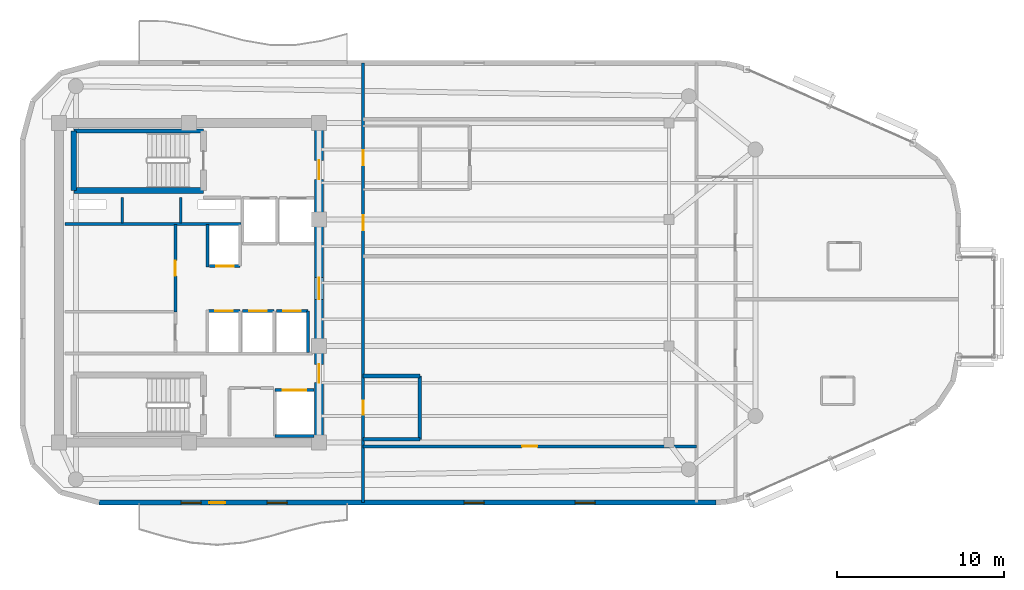
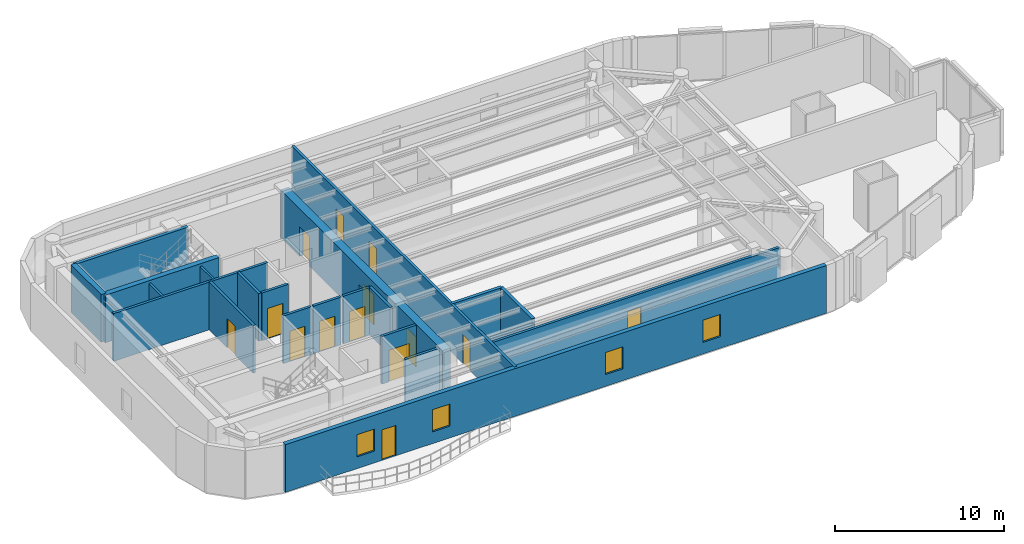
# One storey, part 9 of 13: 22 walls, 14 doors, 4 windows, 18 openings.
"""IFC4 building model written with IfcOpenShell, lengths in metres."""

from ifc_helpers import new_model, si_unit, direction, frame, frame_2d, origin, place, context, subcontext, project, spatial, rectangle, extrude, material, layer, layer_set, type_object, element, fill, save


model = new_model("IFC4")

# Units and contexts
model_context = context("Model", 3, precision=1e-05, world=origin(), true_north=direction((0.0, 1.0)))
body_context = subcontext(model_context, "Body", "Model", "MODEL_VIEW")
ifc_project = project(units=[si_unit("LENGTHUNIT", "METRE"), si_unit("AREAUNIT", "SQUARE_METRE"), si_unit("VOLUMEUNIT", "CUBIC_METRE"), si_unit("PLANEANGLEUNIT", "RADIAN"), si_unit("MASSUNIT", "GRAM", prefix="KILO")], contexts=[model_context])

# Site, building, storey
site_placement = place(None, origin())
site = spatial("IfcSite", under=ifc_project, at=site_placement, CompositionType="ELEMENT")
building_placement = place(site_placement, origin())
building = spatial("IfcBuilding", under=site, at=building_placement, Name="An Khanh Terracotta Commons", CompositionType="ELEMENT")
storey_placement = place(building_placement, frame((0.0, 0.0, 266.10009765625)))
storey = spatial("IfcBuildingStorey", under=building, at=storey_placement, Name="L69", CompositionType="ELEMENT", Elevation=266.10009765625)

# Wall, openings, doors
ifc_material_1 = material(Name="Concrete C50/60", Category="concrete")
ifc_layer_1 = layer(ifc_material_1, 0.550048828125, Name="Concrete C50/60")
ifc_layer_set_1 = layer_set([ifc_layer_1], Name="Concrete C50/60")
wall_type_1 = type_object("IfcWallType", Name="WALL-CORE-550", PredefinedType="SHEAR", material=ifc_layer_set_1)
wall_1_placement = place(storey_placement, frame((37.199951171875, 14.39990234375, 0.0), z_axis=(0.0, 0.0, 1.0), x_axis=(0.0, 1.0, 0.0)))
wall_1 = element("IfcWall", 1, at=wall_1_placement, inside=storey, type_object=wall_type_1, Name="L69 Core Wall CWALL-L69-E", PredefinedType="SHEAR", context=body_context, shape_type="SweptSolid", body=[
    extrude(rectangle(XDim=19.2001953125, YDim=0.550048828125, at=frame_2d((9.60009765625, 0.0))), origin(), (0.0, 0.0, 1.0), 3.449951171875),
])
opening_1_placement = place(wall_1_placement, frame((15.800048828125, 0.0, 0.0)))
opening_1 = element("IfcOpeningElement", 2, at=opening_1_placement, cuts=wall_1, Name="Opening D-FFL", PredefinedType="OPENING", context=body_context, shape_type="SweptSolid", body=[
    extrude(rectangle(XDim=1.14990234375, YDim=2.14990234375, at=frame_2d((0.574951171875, 1.074951171875))), frame((0.0, 0.284912109375, 0.0), z_axis=(0.0, -1.0, 0.0), x_axis=(1.0, 0.0, 0.0)), (0.0, 0.0, 1.0), 0.570068359375),
])
opening_2_placement = place(wall_1_placement, frame((3.60009765625, 0.0, 0.0)))
opening_2 = element("IfcOpeningElement", 3, at=opening_2_placement, cuts=wall_1, Name="Opening D-ST", PredefinedType="OPENING", context=body_context, shape_type="SweptSolid", body=[
    extrude(rectangle(XDim=1.10009765625, YDim=2.14990234375, at=frame_2d((0.550048828125, 1.074951171875))), frame((0.0, 0.284912109375, 0.0), z_axis=(0.0, -1.0, 0.0), x_axis=(1.0, 0.0, 0.0)), (0.0, 0.0, 1.0), 0.570068359375),
])
opening_3_placement = place(wall_1_placement, frame((8.60009765625, 0.0, 0.0)))
opening_3 = element("IfcOpeningElement", 4, at=opening_3_placement, cuts=wall_1, Name="Opening D-COR", PredefinedType="OPENING", context=body_context, shape_type="SweptSolid", body=[
    extrude(rectangle(XDim=1.300048828125, YDim=2.199951171875, at=frame_2d((0.64990234375, 1.10009765625))), frame((0.0, 0.284912109375, 0.0), z_axis=(0.0, -1.0, 0.0), x_axis=(1.0, 0.0, 0.0)), (0.0, 0.0, 1.0), 0.570068359375),
])
ifc_material_2 = material(Name="Fire-Rated Glazed Steel Double Door", Category="steel")
door_type_1 = type_object("IfcDoorType", Name="DOOR-CORR-1300", OperationType="NOTDEFINED", PredefinedType="DOOR", material=ifc_material_2)
door_1_placement = place(opening_3_placement, origin())
door_1 = element("IfcDoor", 5, at=door_1_placement, inside=storey, type_object=door_type_1, Name="L69 Passenger Lift Lobby Double Door", OperationType="DOUBLE_DOOR_SINGLE_SWING", OverallHeight=2.199951171875, OverallWidth=1.300048828125, PredefinedType="DOOR", context=body_context, shape_type="SweptSolid", body=[
    extrude(rectangle(XDim=1.300048828125, YDim=2.199951171875, at=frame_2d((0.64990234375, 1.10009765625))), frame((0.0, 0.02490234375, 0.0), z_axis=(0.0, -1.0, 0.0), x_axis=(1.0, 0.0, 0.0)), (0.0, 0.0, 1.0), 0.050048828125),
])
fill(opening_3, door_1)
ifc_material_3 = material(Name="Fire-Rated Steel Leaf and Vision Panel", Category="steel")
door_type_2 = type_object("IfcDoorType", Name="DOOR-FFL-1150", OperationType="NOTDEFINED", PredefinedType="DOOR", material=ifc_material_3)
door_2_placement = place(opening_1_placement, origin())
door_2 = element("IfcDoor", 6, at=door_2_placement, inside=storey, type_object=door_type_2, Name="L69 Firefighting Lift Lobby Fire Door", OperationType="SINGLE_SWING_RIGHT", OverallHeight=2.14990234375, OverallWidth=1.14990234375, PredefinedType="DOOR", context=body_context, shape_type="SweptSolid", body=[
    extrude(rectangle(XDim=1.14990234375, YDim=2.14990234375, at=frame_2d((0.574951171875, 1.074951171875))), frame((0.0, 0.02490234375, 0.0), z_axis=(0.0, -1.0, 0.0), x_axis=(1.0, 0.0, 0.0)), (0.0, 0.0, 1.0), 0.050048828125),
])
fill(opening_1, door_2)
ifc_material_4 = material(Name="Fire-Rated Steel Leaf and Frame", Category="steel")
door_type_3 = type_object("IfcDoorType", Name="DOOR-STAIR-1100", OperationType="NOTDEFINED", PredefinedType="DOOR", material=ifc_material_4)
door_3_placement = place(opening_2_placement, origin())
door_3 = element("IfcDoor", 7, at=door_3_placement, inside=storey, type_object=door_type_3, Name="L69 South Stair Lobby Fire Door", OperationType="SINGLE_SWING_LEFT", OverallHeight=2.14990234375, OverallWidth=1.10009765625, PredefinedType="DOOR", context=body_context, shape_type="SweptSolid", body=[
    extrude(rectangle(XDim=1.10009765625, YDim=2.14990234375, at=frame_2d((0.550048828125, 1.074951171875))), frame((0.0, 0.02490234375, 0.0), z_axis=(0.0, -1.0, 0.0), x_axis=(1.0, 0.0, 0.0)), (0.0, 0.0, 1.0), 0.050048828125),
])
fill(opening_2, door_3)

# Wall
ifc_material_5 = material(Name="Fire-Rated Gypsum Board on Steel Stud", Category="steel")
ifc_layer_2 = layer(ifc_material_5, 0.179931640625, Name="Fire-Rated Gypsum Board on Steel Stud")
ifc_layer_set_2 = layer_set([ifc_layer_2], Name="Fire-Rated Gypsum Board on Steel Stud")
wall_type_2 = type_object("IfcWallType", Name="WALL-CORR-180", PredefinedType="PARTITIONING", material=ifc_layer_set_2)
wall_2_placement = place(storey_placement, frame((21.949951171875, 27.5400390625, 0.0), z_axis=(0.0, 0.0, 1.0), x_axis=(1.0, 0.0, 0.0)))
element("IfcWall", 8, at=wall_2_placement, inside=storey, type_object=wall_type_2, Name="L69 Core Wall RSRW-L69-S", PredefinedType="PARTITIONING", context=body_context, shape_type="SweptSolid", body=[
    extrude(rectangle(XDim=10.56005859375, YDim=0.179931640625, at=frame_2d((5.280029296875, 0.0))), origin(), (0.0, 0.0, 1.0), 3.449951171875),
])

# Wall, opening, door
wall_3_placement = place(storey_placement, frame((34.550048828125, 17.550048828125, 0.0), z_axis=(0.0, 0.0, 1.0), x_axis=(1.0, 0.0, 0.0)))
wall_3 = element("IfcWall", 9, at=wall_3_placement, inside=storey, type_object=wall_type_2, Name="L69 Core Wall LSH-L69-SVL-01-N", PredefinedType="PARTITIONING", context=body_context, shape_type="SweptSolid", body=[
    extrude(rectangle(XDim=2.349853515625, YDim=0.179931640625, at=frame_2d((1.1748046875, 0.0))), origin(), (0.0, 0.0, 1.0), 3.449951171875),
])
opening_4_placement = place(wall_3_placement, frame((0.47509765625, 0.0, 0.0)))
opening_4 = element("IfcOpeningElement", 10, at=opening_4_placement, cuts=wall_3, Name="Opening LD-SVL-01-L69", PredefinedType="OPENING", context=body_context, shape_type="SweptSolid", body=[
    extrude(rectangle(XDim=1.39990234375, YDim=2.300048828125, at=frame_2d((0.699951171875, 1.14990234375))), frame((0.0, 0.099853515625, 0.0), z_axis=(0.0, -1.0, 0.0), x_axis=(1.0, 0.0, 0.0)), (0.0, 0.0, 1.0), 0.199951171875),
])
ifc_material_6 = material(Name="Heavy-Duty Stainless Steel Goods Landing Door", Category="steel")
door_type_4 = type_object("IfcDoorType", Name="DOOR-LD-SVL-1400", OperationType="NOTDEFINED", PredefinedType="DOOR", material=ifc_material_6)
door_4_placement = place(opening_4_placement, origin())
door_4 = element("IfcDoor", 11, at=door_4_placement, inside=storey, type_object=door_type_4, Name="L69 Lift SVL-01 Sliding Landing Door", OperationType="DOUBLE_DOOR_SLIDING", OverallHeight=2.300048828125, OverallWidth=1.39990234375, PredefinedType="DOOR", context=body_context, shape_type="SweptSolid", body=[
    extrude(rectangle(XDim=1.39990234375, YDim=2.300048828125, at=frame_2d((0.699951171875, 1.14990234375))), frame((0.0, 0.02490234375, 0.0), z_axis=(0.0, -1.0, 0.0), x_axis=(1.0, 0.0, 0.0)), (0.0, 0.0, 1.0), 0.050048828125),
])
fill(opening_4, door_4)

# Wall
wall_4_placement = place(storey_placement, frame((36.89990234375, 14.800048828125, 0.0), z_axis=(0.0, 0.0, 1.0), x_axis=(-1.0, 0.0, 0.0)))
element("IfcWall", 12, at=wall_4_placement, inside=storey, type_object=wall_type_2, Name="L69 Core Wall LSH-L69-SVL-01-S", PredefinedType="PARTITIONING", context=body_context, shape_type="SweptSolid", body=[
    extrude(rectangle(XDim=2.349853515625, YDim=0.179931640625, at=frame_2d((1.1748046875, 0.0))), origin(), (0.0, 0.0, 1.0), 3.449951171875),
])

# Wall, opening, door
wall_5_placement = place(storey_placement, frame((32.4599609375, 25.0, 0.0), z_axis=(0.0, 0.0, 1.0), x_axis=(-1.0, 0.0, 0.0)))
wall_5 = element("IfcWall", 13, at=wall_5_placement, inside=storey, type_object=wall_type_2, Name="L69 Core Wall LSH-L69-PL-H1-S", PredefinedType="PARTITIONING", context=body_context, shape_type="SweptSolid", body=[
    extrude(rectangle(XDim=1.820068359375, YDim=0.179931640625, at=frame_2d((0.91015625, 0.0))), origin(), (0.0, 0.0, 1.0), 3.449951171875),
])
opening_5_placement = place(wall_5_placement, frame((0.385009765625, 0.0, 0.0)))
opening_5 = element("IfcOpeningElement", 14, at=opening_5_placement, cuts=wall_5, Name="Opening LD-PL-H1-L69", PredefinedType="OPENING", context=body_context, shape_type="SweptSolid", body=[
    extrude(rectangle(XDim=1.050048828125, YDim=2.199951171875, at=frame_2d((0.52490234375, 1.10009765625))), frame((0.0, 0.099853515625, 0.0), z_axis=(0.0, -1.0, 0.0), x_axis=(1.0, 0.0, 0.0)), (0.0, 0.0, 1.0), 0.199951171875),
])
ifc_material_7 = material(Name="Brushed Stainless Steel High-Rise Landing Door", Category="steel")
door_type_5 = type_object("IfcDoorType", Name="DOOR-LD-PAXH-1050", OperationType="NOTDEFINED", PredefinedType="DOOR", material=ifc_material_7)
door_5_placement = place(opening_5_placement, origin())
door_5 = element("IfcDoor", 15, at=door_5_placement, inside=storey, type_object=door_type_5, Name="L69 Lift PL-H1 Sliding Landing Door", OperationType="DOUBLE_DOOR_SLIDING", OverallHeight=2.199951171875, OverallWidth=1.050048828125, PredefinedType="DOOR", context=body_context, shape_type="SweptSolid", body=[
    extrude(rectangle(XDim=1.050048828125, YDim=2.199951171875, at=frame_2d((0.52490234375, 1.10009765625))), frame((0.0, 0.02490234375, 0.0), z_axis=(0.0, -1.0, 0.0), x_axis=(1.0, 0.0, 0.0)), (0.0, 0.0, 1.0), 0.050048828125),
])
fill(opening_5, door_5)

wall_6_placement = place(storey_placement, frame((30.56005859375, 22.300048828125, 0.0), z_axis=(0.0, 0.0, 1.0), x_axis=(1.0, 0.0, 0.0)))
wall_6 = element("IfcWall", 16, at=wall_6_placement, inside=storey, type_object=wall_type_2, Name="L69 Core Wall LSH-L69-PL-H2-N", PredefinedType="PARTITIONING", context=body_context, shape_type="SweptSolid", body=[
    extrude(rectangle(XDim=1.89990234375, YDim=0.179931640625, at=frame_2d((0.949951171875, 0.0))), origin(), (0.0, 0.0, 1.0), 3.449951171875),
])
opening_6_placement = place(wall_6_placement, frame((0.425048828125, 0.0, 0.0)))
opening_6 = element("IfcOpeningElement", 17, at=opening_6_placement, cuts=wall_6, Name="Opening LD-PL-H2-L69", PredefinedType="OPENING", context=body_context, shape_type="SweptSolid", body=[
    extrude(rectangle(XDim=1.050048828125, YDim=2.199951171875, at=frame_2d((0.52490234375, 1.10009765625))), frame((0.0, 0.099853515625, 0.0), z_axis=(0.0, -1.0, 0.0), x_axis=(1.0, 0.0, 0.0)), (0.0, 0.0, 1.0), 0.199951171875),
])
door_6_placement = place(opening_6_placement, origin())
door_6 = element("IfcDoor", 18, at=door_6_placement, inside=storey, type_object=door_type_5, Name="L69 Lift PL-H2 Sliding Landing Door", OperationType="DOUBLE_DOOR_SLIDING", OverallHeight=2.199951171875, OverallWidth=1.050048828125, PredefinedType="DOOR", context=body_context, shape_type="SweptSolid", body=[
    extrude(rectangle(XDim=1.050048828125, YDim=2.199951171875, at=frame_2d((0.52490234375, 1.10009765625))), frame((0.0, 0.02490234375, 0.0), z_axis=(0.0, -1.0, 0.0), x_axis=(1.0, 0.0, 0.0)), (0.0, 0.0, 1.0), 0.050048828125),
])
fill(opening_6, door_6)

wall_7_placement = place(storey_placement, frame((32.60009765625, 22.300048828125, 0.0), z_axis=(0.0, 0.0, 1.0), x_axis=(1.0, 0.0, 0.0)))
wall_7 = element("IfcWall", 19, at=wall_7_placement, inside=storey, type_object=wall_type_2, Name="L69 Core Wall LSH-L69-PL-H3-N", PredefinedType="PARTITIONING", context=body_context, shape_type="SweptSolid", body=[
    extrude(rectangle(XDim=1.89990234375, YDim=0.179931640625, at=frame_2d((0.949951171875, 0.0))), origin(), (0.0, 0.0, 1.0), 3.449951171875),
])
opening_7_placement = place(wall_7_placement, frame((0.425048828125, 0.0, 0.0)))
opening_7 = element("IfcOpeningElement", 20, at=opening_7_placement, cuts=wall_7, Name="Opening LD-PL-H3-L69", PredefinedType="OPENING", context=body_context, shape_type="SweptSolid", body=[
    extrude(rectangle(XDim=1.050048828125, YDim=2.199951171875, at=frame_2d((0.52490234375, 1.10009765625))), frame((0.0, 0.099853515625, 0.0), z_axis=(0.0, -1.0, 0.0), x_axis=(1.0, 0.0, 0.0)), (0.0, 0.0, 1.0), 0.199951171875),
])
door_7_placement = place(opening_7_placement, origin())
door_7 = element("IfcDoor", 21, at=door_7_placement, inside=storey, type_object=door_type_5, Name="L69 Lift PL-H3 Sliding Landing Door", OperationType="DOUBLE_DOOR_SLIDING", OverallHeight=2.199951171875, OverallWidth=1.050048828125, PredefinedType="DOOR", context=body_context, shape_type="SweptSolid", body=[
    extrude(rectangle(XDim=1.050048828125, YDim=2.199951171875, at=frame_2d((0.52490234375, 1.10009765625))), frame((0.0, 0.02490234375, 0.0), z_axis=(0.0, -1.0, 0.0), x_axis=(1.0, 0.0, 0.0)), (0.0, 0.0, 1.0), 0.050048828125),
])
fill(opening_7, door_7)

wall_8_placement = place(storey_placement, frame((34.639892578125, 22.300048828125, 0.0), z_axis=(0.0, 0.0, 1.0), x_axis=(1.0, 0.0, 0.0)))
wall_8 = element("IfcWall", 22, at=wall_8_placement, inside=storey, type_object=wall_type_2, Name="L69 Core Wall LSH-L69-PL-H4-N", PredefinedType="PARTITIONING", context=body_context, shape_type="SweptSolid", body=[
    extrude(rectangle(XDim=1.900146484375, YDim=0.179931640625, at=frame_2d((0.9501953125, 0.0))), origin(), (0.0, 0.0, 1.0), 3.449951171875),
])
opening_8_placement = place(wall_8_placement, frame((0.425048828125, 0.0, 0.0)))
opening_8 = element("IfcOpeningElement", 23, at=opening_8_placement, cuts=wall_8, Name="Opening LD-PL-H4-L69", PredefinedType="OPENING", context=body_context, shape_type="SweptSolid", body=[
    extrude(rectangle(XDim=1.050048828125, YDim=2.199951171875, at=frame_2d((0.52490234375, 1.10009765625))), frame((0.0, 0.099853515625, 0.0), z_axis=(0.0, -1.0, 0.0), x_axis=(1.0, 0.0, 0.0)), (0.0, 0.0, 1.0), 0.199951171875),
])
door_8_placement = place(opening_8_placement, origin())
door_8 = element("IfcDoor", 24, at=door_8_placement, inside=storey, type_object=door_type_5, Name="L69 Lift PL-H4 Sliding Landing Door", OperationType="DOUBLE_DOOR_SLIDING", OverallHeight=2.199951171875, OverallWidth=1.050048828125, PredefinedType="DOOR", context=body_context, shape_type="SweptSolid", body=[
    extrude(rectangle(XDim=1.050048828125, YDim=2.199951171875, at=frame_2d((0.52490234375, 1.10009765625))), frame((0.0, 0.02490234375, 0.0), z_axis=(0.0, -1.0, 0.0), x_axis=(1.0, 0.0, 0.0)), (0.0, 0.0, 1.0), 0.050048828125),
])
fill(opening_8, door_8)

# Walls
wall_9_placement = place(storey_placement, frame((36.5400390625, 19.800048828125, 0.0), z_axis=(0.0, 0.0, 1.0), x_axis=(0.0, 1.0, 0.0)))
element("IfcWall", 25, at=wall_9_placement, inside=storey, type_object=wall_type_2, Name="L69 Core Wall LSH-L69-PL-H4-E", PredefinedType="PARTITIONING", context=body_context, shape_type="SweptSolid", body=[
    extrude(rectangle(XDim=2.5, YDim=0.179931640625, at=frame_2d((1.25, 0.0))), origin(), (0.0, 0.0, 1.0), 3.449951171875),
])
wall_10_placement = place(storey_placement, frame((30.52001953125, 24.949951171875, 0.0), z_axis=(0.0, 0.0, 1.0), x_axis=(0.0, 1.0, 0.0)))
element("IfcWall", 26, at=wall_10_placement, inside=storey, type_object=wall_type_2, Name="L69 Core Wall RECW-L69-BE1", PredefinedType="PARTITIONING", context=body_context, shape_type="SweptSolid", body=[
    extrude(rectangle(XDim=2.550048828125, YDim=0.179931640625, at=frame_2d((1.27490234375, 0.0))), origin(), (0.0, 0.0, 1.0), 3.449951171875),
])

# Wall, opening, door
wall_11_placement = place(storey_placement, frame((28.580078125, 22.25, 0.0), z_axis=(0.0, 0.0, 1.0), x_axis=(0.0, 1.0, 0.0)))
wall_11 = element("IfcWall", 27, at=wall_11_placement, inside=storey, type_object=wall_type_2, Name="L69 Core Wall RECW-L69-E1", PredefinedType="PARTITIONING", context=body_context, shape_type="SweptSolid", body=[
    extrude(rectangle(XDim=5.25, YDim=0.179931640625, at=frame_2d((2.625, 0.0))), origin(), (0.0, 0.0, 1.0), 3.449951171875),
])
opening_9_placement = place(wall_11_placement, frame((2.1650390625, 0.0, 0.0)))
opening_9 = element("IfcOpeningElement", 28, at=opening_9_placement, cuts=wall_11, Name="Opening D-RM", PredefinedType="OPENING", context=body_context, shape_type="SweptSolid", body=[
    extrude(rectangle(XDim=0.919921875, YDim=2.10009765625, at=frame_2d((0.4599609375, 1.050048828125))), frame((0.0, 0.099853515625, 0.0), z_axis=(0.0, -1.0, 0.0), x_axis=(1.0, 0.0, 0.0)), (0.0, 0.0, 1.0), 0.199951171875),
])
ifc_material_8 = material(Name="Engineered Hardwood Timber Leaf", Category="wood")
door_type_6 = type_object("IfcDoorType", Name="DOOR-INT-920", OperationType="NOTDEFINED", PredefinedType="DOOR", material=ifc_material_8)
door_9_placement = place(opening_9_placement, origin())
door_9 = element("IfcDoor", 29, at=door_9_placement, inside=storey, type_object=door_type_6, Name="L69 Quiet Fellowship Study Room Door", OperationType="SINGLE_SWING_LEFT", OverallHeight=2.10009765625, OverallWidth=0.919921875, PredefinedType="DOOR", context=body_context, shape_type="SweptSolid", body=[
    extrude(rectangle(XDim=0.919921875, YDim=2.10009765625, at=frame_2d((0.4599609375, 1.050048828125))), frame((0.0, 0.02490234375, 0.0), z_axis=(0.0, -1.0, 0.0), x_axis=(1.0, 0.0, 0.0)), (0.0, 0.0, 1.0), 0.050048828125),
])
fill(opening_9, door_9)

wall_12_placement = place(storey_placement, frame((39.85009765625, 14.179931640625, 0.0), z_axis=(0.0, 0.0, 1.0), x_axis=(1.0, 0.0, 0.0)))
wall_12 = element("IfcWall", 30, at=wall_12_placement, inside=storey, type_object=wall_type_2, Name="L69 Interior Partition IW-L69-E001", PredefinedType="PARTITIONING", context=body_context, shape_type="SweptSolid", body=[
    extrude(rectangle(XDim=20.0, YDim=0.179931640625, at=frame_2d((10.0, 0.0))), origin(), (0.0, 0.0, 1.0), 3.091796875),
])
opening_10_placement = place(wall_12_placement, frame((9.5400390625, 0.0, 0.0)))
opening_10 = element("IfcOpeningElement", 31, at=opening_10_placement, cuts=wall_12, Name="Opening D-RM", PredefinedType="OPENING", context=body_context, shape_type="SweptSolid", body=[
    extrude(rectangle(XDim=0.919921875, YDim=2.10009765625, at=frame_2d((0.4599609375, 1.050048828125))), frame((0.0, 0.099853515625, 0.0), z_axis=(0.0, -1.0, 0.0), x_axis=(1.0, 0.0, 0.0)), (0.0, 0.0, 1.0), 0.199951171875),
])
door_10_placement = place(opening_10_placement, origin())
door_10 = element("IfcDoor", 32, at=door_10_placement, inside=storey, type_object=door_type_6, Name="L69 WSP1 Riverfront Reading Hall Door", OperationType="SINGLE_SWING_LEFT", OverallHeight=2.10009765625, OverallWidth=0.919921875, PredefinedType="DOOR", context=body_context, shape_type="SweptSolid", body=[
    extrude(rectangle(XDim=0.919921875, YDim=2.10009765625, at=frame_2d((0.4599609375, 1.050048828125))), frame((0.0, 0.02490234375, 0.0), z_axis=(0.0, -1.0, 0.0), x_axis=(1.0, 0.0, 0.0)), (0.0, 0.0, 1.0), 0.050048828125),
])
fill(opening_10, door_10)

# Wall, openings, doors
wall_13_placement = place(storey_placement, frame((39.85009765625, 10.800048828125, 0.0), z_axis=(0.0, 0.0, 1.0), x_axis=(0.0, 1.0, 0.0)))
wall_13 = element("IfcWall", 33, at=wall_13_placement, inside=storey, type_object=wall_type_2, Name="L69 Interior Partition IW-L69-E010", PredefinedType="PARTITIONING", context=body_context, shape_type="SweptSolid", body=[
    extrude(rectangle(XDim=26.39990234375, YDim=0.179931640625, at=frame_2d((13.199951171875, 0.0))), origin(), (0.0, 0.0, 1.0), 3.449951171875),
])
opening_11_placement = place(wall_13_placement, frame((20.25, 0.0, 0.0)))
opening_11 = element("IfcOpeningElement", 34, at=opening_11_placement, cuts=wall_13, Name="Opening D-WC", PredefinedType="OPENING", context=body_context, shape_type="SweptSolid", body=[
    extrude(rectangle(XDim=0.89990234375, YDim=2.10009765625, at=frame_2d((0.449951171875, 1.050048828125))), frame((0.0, 0.099853515625, 0.0), z_axis=(0.0, -1.0, 0.0), x_axis=(1.0, 0.0, 0.0)), (0.0, 0.0, 1.0), 0.199951171875),
])
opening_12_placement = place(wall_13_placement, frame((5.27001953125, 0.0, 0.0)))
opening_12 = element("IfcOpeningElement", 35, at=opening_12_placement, cuts=wall_13, Name="Opening D-ENS", PredefinedType="OPENING", context=body_context, shape_type="SweptSolid", body=[
    extrude(rectangle(XDim=0.860107421875, YDim=2.10009765625, at=frame_2d((0.43017578125, 1.050048828125))), frame((0.0, 0.099853515625, 0.0), z_axis=(0.0, -1.0, 0.0), x_axis=(1.0, 0.0, 0.0)), (0.0, 0.0, 1.0), 0.199951171875),
])
opening_13_placement = place(wall_13_placement, frame((16.340087890625, 0.0, 0.0)))
opening_13 = element("IfcOpeningElement", 36, at=opening_13_placement, cuts=wall_13, Name="Opening D-RM", PredefinedType="OPENING", context=body_context, shape_type="SweptSolid", body=[
    extrude(rectangle(XDim=0.919921875, YDim=2.10009765625, at=frame_2d((0.4599609375, 1.050048828125))), frame((0.0, 0.099853515625, 0.0), z_axis=(0.0, -1.0, 0.0), x_axis=(1.0, 0.0, 0.0)), (0.0, 0.0, 1.0), 0.199951171875),
])
ifc_material_9 = material(Name="Moisture-Resistant Hardwood Timber Leaf", Category="wood")
door_type_7 = type_object("IfcDoorType", Name="DOOR-BATH-860", OperationType="NOTDEFINED", PredefinedType="DOOR", material=ifc_material_9)
door_11_placement = place(opening_12_placement, origin())
door_11 = element("IfcDoor", 37, at=door_11_placement, inside=storey, type_object=door_type_7, Name="L69 SHW Resident Shared Shower and Washroom Door", OperationType="SINGLE_SWING_RIGHT", OverallHeight=2.10009765625, OverallWidth=0.860107421875, PredefinedType="DOOR", context=body_context, shape_type="SweptSolid", body=[
    extrude(rectangle(XDim=0.860107421875, YDim=2.10009765625, at=frame_2d((0.43017578125, 1.050048828125))), frame((0.0, 0.02490234375, 0.0), z_axis=(0.0, -1.0, 0.0), x_axis=(1.0, 0.0, 0.0)), (0.0, 0.0, 1.0), 0.050048828125),
])
fill(opening_12, door_11)
door_12_placement = place(opening_13_placement, origin())
door_12 = element("IfcDoor", 38, at=door_12_placement, inside=storey, type_object=door_type_6, Name="L69 WSP2 Academic Seminar Room Door", OperationType="SINGLE_SWING_RIGHT", OverallHeight=2.10009765625, OverallWidth=0.919921875, PredefinedType="DOOR", context=body_context, shape_type="SweptSolid", body=[
    extrude(rectangle(XDim=0.919921875, YDim=2.10009765625, at=frame_2d((0.4599609375, 1.050048828125))), frame((0.0, 0.02490234375, 0.0), z_axis=(0.0, -1.0, 0.0), x_axis=(1.0, 0.0, 0.0)), (0.0, 0.0, 1.0), 0.050048828125),
])
fill(opening_13, door_12)
ifc_material_10 = material(Name="Laminate Moisture-Resistant Timber Leaf", Category="wood")
door_type_8 = type_object("IfcDoorType", Name="DOOR-WC-900", OperationType="NOTDEFINED", PredefinedType="DOOR", material=ifc_material_10)
door_13_placement = place(opening_11_placement, origin())
door_13 = element("IfcDoor", 39, at=door_13_placement, inside=storey, type_object=door_type_8, Name="L69 AWC Accessible WC Door", OperationType="SINGLE_SWING_LEFT", OverallHeight=2.10009765625, OverallWidth=0.89990234375, PredefinedType="DOOR", context=body_context, shape_type="SweptSolid", body=[
    extrude(rectangle(XDim=0.89990234375, YDim=2.10009765625, at=frame_2d((0.449951171875, 1.050048828125))), frame((0.0, 0.02490234375, 0.0), z_axis=(0.0, -1.0, 0.0), x_axis=(1.0, 0.0, 0.0)), (0.0, 0.0, 1.0), 0.050048828125),
])
fill(opening_11, door_13)

# Wall, openings, door, windows
ifc_material_11 = material(Name="Precast concrete C40/50", Category="concrete")
ifc_layer_3 = layer(ifc_material_11, 0.300048828125, Name="Precast concrete C40/50")
ifc_layer_set_3 = layer_set([ifc_layer_3], Name="Precast concrete C40/50")
wall_type_3 = type_object("IfcWallType", Name="WALL-EXT-300", PredefinedType="SOLIDWALL", material=ifc_layer_set_3)
wall_14_placement = place(storey_placement, frame((24.0, 10.800048828125, 0.0), z_axis=(0.0, 0.0, 1.0), x_axis=(1.0, 0.0, 0.0)))
wall_14 = element("IfcWall", 40, at=wall_14_placement, inside=storey, type_object=wall_type_3, Name="L69 Insulated Terracotta Exterior Wall 4", PredefinedType="SOLIDWALL", context=body_context, shape_type="SweptSolid", body=[
    extrude(rectangle(XDim=37.030029296875, YDim=0.300048828125, at=frame_2d((18.51513671875, 0.0))), origin(), (0.0, 0.0, 1.0), 3.449951171875),
])
opening_14_placement = place(wall_14_placement, frame((6.612060546875, 0.0, 0.0)))
opening_14 = element("IfcOpeningElement", 41, at=opening_14_placement, cuts=wall_14, Name="Opening D-BAL", PredefinedType="OPENING", context=body_context, shape_type="SweptSolid", body=[
    extrude(rectangle(XDim=0.949951171875, YDim=2.199951171875, at=frame_2d((0.47509765625, 1.10009765625))), frame((0.0, 0.159912109375, 0.0), z_axis=(0.0, -1.0, 0.0), x_axis=(1.0, 0.0, 0.0)), (0.0, 0.0, 1.0), 0.320068359375),
])
opening_15_placement = place(wall_14_placement, frame((4.9169921875, 0.0, 0.85009765625)))
opening_15 = element("IfcOpeningElement", 42, at=opening_15_placement, cuts=wall_14, Name="Opening W-05", PredefinedType="OPENING", context=body_context, shape_type="SweptSolid", body=[
    extrude(rectangle(XDim=1.199951171875, YDim=1.60009765625, at=frame_2d((0.60009765625, 0.800048828125))), frame((0.0, 0.159912109375, 0.0), z_axis=(0.0, -1.0, 0.0), x_axis=(1.0, 0.0, 0.0)), (0.0, 0.0, 1.0), 0.320068359375),
])
opening_16_placement = place(wall_14_placement, frame((10.0830078125, 0.0, 0.85009765625)))
opening_16 = element("IfcOpeningElement", 43, at=opening_16_placement, cuts=wall_14, Name="Opening W-05", PredefinedType="OPENING", context=body_context, shape_type="SweptSolid", body=[
    extrude(rectangle(XDim=1.199951171875, YDim=1.60009765625, at=frame_2d((0.60009765625, 0.800048828125))), frame((0.0, 0.159912109375, 0.0), z_axis=(0.0, -1.0, 0.0), x_axis=(1.0, 0.0, 0.0)), (0.0, 0.0, 1.0), 0.320068359375),
])
opening_17_placement = place(wall_14_placement, frame((21.9169921875, 0.0, 0.85009765625)))
opening_17 = element("IfcOpeningElement", 44, at=opening_17_placement, cuts=wall_14, Name="Opening W-05", PredefinedType="OPENING", context=body_context, shape_type="SweptSolid", body=[
    extrude(rectangle(XDim=1.199951171875, YDim=1.60009765625, at=frame_2d((0.60009765625, 0.800048828125))), frame((0.0, 0.159912109375, 0.0), z_axis=(0.0, -1.0, 0.0), x_axis=(1.0, 0.0, 0.0)), (0.0, 0.0, 1.0), 0.320068359375),
])
opening_18_placement = place(wall_14_placement, frame((28.5830078125, 0.0, 0.85009765625)))
opening_18 = element("IfcOpeningElement", 45, at=opening_18_placement, cuts=wall_14, Name="Opening W-05", PredefinedType="OPENING", context=body_context, shape_type="SweptSolid", body=[
    extrude(rectangle(XDim=1.199951171875, YDim=1.60009765625, at=frame_2d((0.60009765625, 0.800048828125))), frame((0.0, 0.159912109375, 0.0), z_axis=(0.0, -1.0, 0.0), x_axis=(1.0, 0.0, 0.0)), (0.0, 0.0, 1.0), 0.320068359375),
])
ifc_material_12 = material(Name="Thermally Broken Aluminium and Low-E Glass", Category="aluminium")
door_type_9 = type_object("IfcDoorType", Name="DOOR-BALC-950", OperationType="NOTDEFINED", PredefinedType="DOOR", material=ifc_material_12)
door_14_placement = place(opening_14_placement, origin())
door_14 = element("IfcDoor", 46, at=door_14_placement, inside=storey, type_object=door_type_9, Name="L69 S Wave Balcony Glazed Door", OperationType="SINGLE_SWING_LEFT", OverallHeight=2.199951171875, OverallWidth=0.949951171875, PredefinedType="DOOR", context=body_context, shape_type="SweptSolid", body=[
    extrude(rectangle(XDim=0.949951171875, YDim=2.199951171875, at=frame_2d((0.47509765625, 1.10009765625))), frame((0.0, 0.02490234375, 0.0), z_axis=(0.0, -1.0, 0.0), x_axis=(1.0, 0.0, 0.0)), (0.0, 0.0, 1.0), 0.050048828125),
])
fill(opening_14, door_14)
window_type = type_object("IfcWindowType", Name="WIN-Z5-1200x1600", PartitioningType="SINGLE_PANEL", PredefinedType="WINDOW", material=ifc_material_12)
window_1_placement = place(opening_15_placement, origin())
window_1 = element("IfcWindow", 47, at=window_1_placement, inside=storey, type_object=window_type, Name="L69 Operable Casement Window 4.1", OverallHeight=1.60009765625, OverallWidth=1.199951171875, PartitioningType="SINGLE_PANEL", PredefinedType="WINDOW", context=body_context, shape_type="SweptSolid", body=[
    extrude(rectangle(XDim=1.199951171875, YDim=1.60009765625, at=frame_2d((0.60009765625, 0.800048828125))), frame((0.0, 0.030029296875, 0.0), z_axis=(0.0, -1.0, 0.0), x_axis=(1.0, 0.0, 0.0)), (0.0, 0.0, 1.0), 0.06005859375),
])
fill(opening_15, window_1)
window_2_placement = place(opening_16_placement, origin())
window_2 = element("IfcWindow", 48, at=window_2_placement, inside=storey, type_object=window_type, Name="L69 Operable Casement Window 4.2", OverallHeight=1.60009765625, OverallWidth=1.199951171875, PartitioningType="SINGLE_PANEL", PredefinedType="WINDOW", context=body_context, shape_type="SweptSolid", body=[
    extrude(rectangle(XDim=1.199951171875, YDim=1.60009765625, at=frame_2d((0.60009765625, 0.800048828125))), frame((0.0, 0.030029296875, 0.0), z_axis=(0.0, -1.0, 0.0), x_axis=(1.0, 0.0, 0.0)), (0.0, 0.0, 1.0), 0.06005859375),
])
fill(opening_16, window_2)
window_3_placement = place(opening_17_placement, origin())
window_3 = element("IfcWindow", 49, at=window_3_placement, inside=storey, type_object=window_type, Name="L69 Operable Casement Window 4.3", OverallHeight=1.60009765625, OverallWidth=1.199951171875, PartitioningType="SINGLE_PANEL", PredefinedType="WINDOW", context=body_context, shape_type="SweptSolid", body=[
    extrude(rectangle(XDim=1.199951171875, YDim=1.60009765625, at=frame_2d((0.60009765625, 0.800048828125))), frame((0.0, 0.030029296875, 0.0), z_axis=(0.0, -1.0, 0.0), x_axis=(1.0, 0.0, 0.0)), (0.0, 0.0, 1.0), 0.06005859375),
])
fill(opening_17, window_3)
window_4_placement = place(opening_18_placement, origin())
window_4 = element("IfcWindow", 50, at=window_4_placement, inside=storey, type_object=window_type, Name="L69 Operable Casement Window 4.4", OverallHeight=1.60009765625, OverallWidth=1.199951171875, PartitioningType="SINGLE_PANEL", PredefinedType="WINDOW", context=body_context, shape_type="SweptSolid", body=[
    extrude(rectangle(XDim=1.199951171875, YDim=1.60009765625, at=frame_2d((0.60009765625, 0.800048828125))), frame((0.0, 0.030029296875, 0.0), z_axis=(0.0, -1.0, 0.0), x_axis=(1.0, 0.0, 0.0)), (0.0, 0.0, 1.0), 0.06005859375),
])
fill(opening_18, window_4)

# Walls
ifc_material_13 = material(Name="Acoustic Gypsum Board Partition")
ifc_layer_4 = layer(ifc_material_13, 0.14990234375, Name="Acoustic Gypsum Board Partition")
ifc_layer_set_4 = layer_set([ifc_layer_4], Name="Acoustic Gypsum Board Partition")
wall_type_4 = type_object("IfcWallType", Name="WALL-PART-150", PredefinedType="PARTITIONING", material=ifc_layer_set_4)
for number, where, z_axis, x_axis, name in (
    (51, (25.39990234375, 27.60009765625, 0.0), (0.0, 0.0, 1.0), (0.0, 1.0, 0.0), "L69 Core Wall RSRW-L69-D1"),
    (52, (28.89990234375, 27.60009765625, 0.0), (0.0, 0.0, 1.0), (0.0, 1.0, 0.0), "L69 Core Wall RSRW-L69-D2"),
):
    element("IfcWall", number, at=place(storey_placement, frame(where, z_axis=z_axis, x_axis=x_axis)), inside=storey, type_object=wall_type_4, Name=name, PredefinedType="PARTITIONING", context=body_context, shape_type="SweptSolid", body=[
        extrude(rectangle(XDim=1.52001953125, YDim=0.14990234375, at=frame_2d((0.760009765625, 0.0))), origin(), (0.0, 0.0, 1.0), 3.449951171875),
    ])
ifc_material_14 = material(Name="Acoustic Double-Stud Gypsum and Mineral Wool")
ifc_layer_5 = layer(ifc_material_14, 0.219970703125, Name="Acoustic Double-Stud Gypsum and Mineral Wool")
ifc_layer_set_5 = layer_set([ifc_layer_5], Name="Acoustic Double-Stud Gypsum and Mineral Wool")
wall_type_5 = type_object("IfcWallType", Name="WALL-PARTY-220", PredefinedType="PARTITIONING", material=ifc_layer_set_5)
wall_15_placement = place(storey_placement, frame((22.47998046875, 33.110107421875, 0.0), z_axis=(0.0, 0.0, 1.0), x_axis=(1.0, 0.0, 0.0)))
element("IfcWall", 53, at=wall_15_placement, inside=storey, type_object=wall_type_5, Name="L69 Core Wall STW-L69-N-N", PredefinedType="PARTITIONING", context=body_context, shape_type="SweptSolid", body=[
    extrude(rectangle(XDim=7.7900390625, YDim=0.219970703125, at=frame_2d((3.89501953125, 0.0))), origin(), (0.0, 0.0, 1.0), 3.449951171875),
])
wall_16_placement = place(storey_placement, frame((39.85009765625, 14.60009765625, 0.0), z_axis=(0.0, 0.0, 1.0), x_axis=(1.0, 0.0, 0.0)))
element("IfcWall", 54, at=wall_16_placement, inside=storey, type_object=wall_type_5, Name="L69 Interior Partition IW-L69-E002", PredefinedType="PARTITIONING", context=body_context, shape_type="SweptSolid", body=[
    extrude(rectangle(XDim=3.39990234375, YDim=0.219970703125, at=frame_2d((1.699951171875, 0.0))), origin(), (0.0, 0.0, 1.0), 3.091796875),
])
wall_17_placement = place(storey_placement, frame((39.85009765625, 18.39990234375, 0.0), z_axis=(0.0, 0.0, 1.0), x_axis=(1.0, 0.0, 0.0)))
element("IfcWall", 55, at=wall_17_placement, inside=storey, type_object=wall_type_5, Name="L69 Interior Partition IW-L69-E003", PredefinedType="PARTITIONING", context=body_context, shape_type="SweptSolid", body=[
    extrude(rectangle(XDim=3.39990234375, YDim=0.219970703125, at=frame_2d((1.699951171875, 0.0))), origin(), (0.0, 0.0, 1.0), 3.449951171875),
])
wall_18_placement = place(storey_placement, frame((43.25, 14.60009765625, 0.0), z_axis=(0.0, 0.0, 1.0), x_axis=(0.0, 1.0, 0.0)))
element("IfcWall", 56, at=wall_18_placement, inside=storey, type_object=wall_type_5, Name="L69 Interior Partition IW-L69-E011", PredefinedType="PARTITIONING", context=body_context, shape_type="SweptSolid", body=[
    extrude(rectangle(XDim=3.7998046875, YDim=0.219970703125, at=frame_2d((1.89990234375, 0.0))), origin(), (0.0, 0.0, 1.0), 3.449951171875),
])
ifc_layer_6 = layer(ifc_material_1, 0.35009765625, Name="Concrete C50/60")
ifc_layer_set_6 = layer_set([ifc_layer_6], Name="Concrete C50/60")
wall_type_6 = type_object("IfcWallType", Name="WALL-SHAFT-350", PredefinedType="SOLIDWALL", material=ifc_layer_set_6)
wall_19_placement = place(storey_placement, frame((22.47998046875, 29.530029296875, 0.0), z_axis=(0.0, 0.0, 1.0), x_axis=(1.0, 0.0, 0.0)))
element("IfcWall", 57, at=wall_19_placement, inside=storey, type_object=wall_type_6, Name="L69 Core Wall STW-L69-N-S", PredefinedType="SOLIDWALL", context=body_context, shape_type="SweptSolid", body=[
    extrude(rectangle(XDim=7.7900390625, YDim=0.35009765625, at=frame_2d((3.89501953125, 0.0))), origin(), (0.0, 0.0, 1.0), 3.449951171875),
])
wall_20_placement = place(storey_placement, frame((22.47998046875, 29.530029296875, 0.0), z_axis=(0.0, 0.0, 1.0), x_axis=(0.0, 1.0, 0.0)))
element("IfcWall", 58, at=wall_20_placement, inside=storey, type_object=wall_type_6, Name="L69 Core Wall STW-L69-N-W", PredefinedType="SOLIDWALL", context=body_context, shape_type="SweptSolid", body=[
    extrude(rectangle(XDim=3.580078125, YDim=0.35009765625, at=frame_2d((1.7900390625, 0.0))), origin(), (0.0, 0.0, 1.0), 3.449951171875),
])

save(model, "model.ifc")
